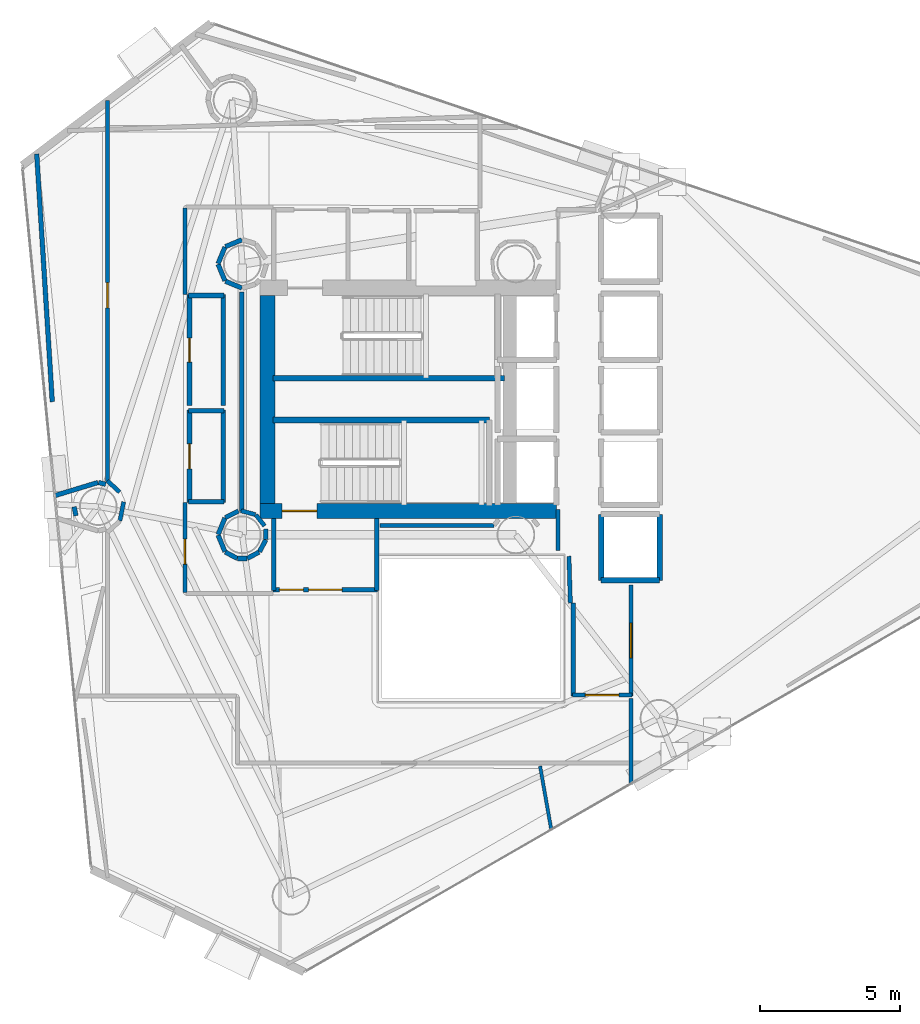
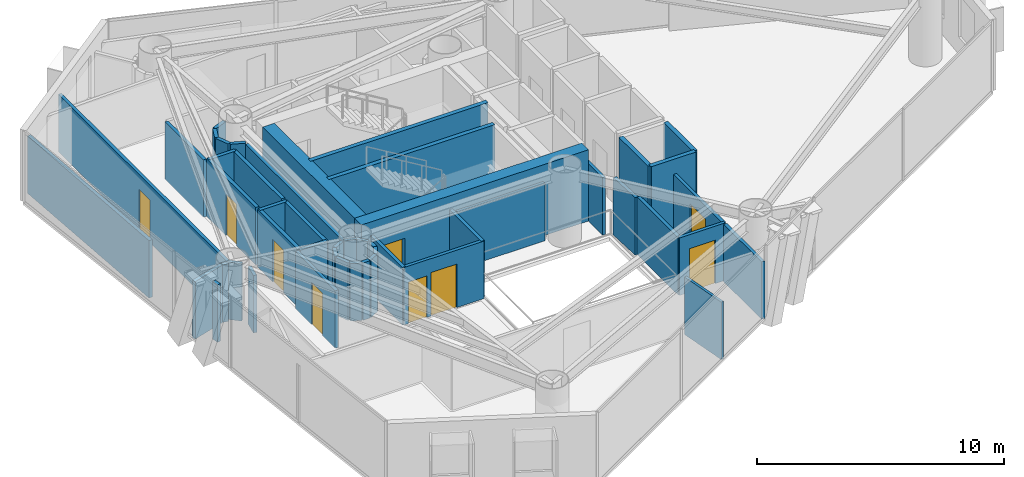
# One storey, part 18 of 22: 49 walls, 9 doors, 9 openings.
"""IFC4 building model written with IfcOpenShell, lengths in metres."""

from ifc_helpers import new_model, si_unit, direction, frame, frame_2d, origin, place, context, subcontext, project, spatial, rectangle, extrude, material, layer, layer_set, type_object, element, fill, save


model = new_model("IFC4")

# Units and contexts
model_context = context("Model", 3, precision=1e-05, world=origin(), true_north=direction((0.0, 1.0)))
body_context = subcontext(model_context, "Body", "Model", "MODEL_VIEW")
ifc_project = project(units=[si_unit("LENGTHUNIT", "METRE"), si_unit("AREAUNIT", "SQUARE_METRE"), si_unit("VOLUMEUNIT", "CUBIC_METRE"), si_unit("PLANEANGLEUNIT", "RADIAN"), si_unit("MASSUNIT", "GRAM", prefix="KILO")], contexts=[model_context])

# Site, building, storey
site_placement = place(None, origin())
site = spatial("IfcSite", under=ifc_project, at=site_placement, CompositionType="ELEMENT")
building_placement = place(site_placement, origin())
building = spatial("IfcBuilding", under=site, at=building_placement, Name="Qianvela Tower", CompositionType="ELEMENT")
storey_placement = place(building_placement, frame((0.0, 0.0, 169.800048828125)))
storey = spatial("IfcBuildingStorey", under=building, at=storey_placement, Name="L43", CompositionType="ELEMENT", Elevation=169.800048828125)

# Wall, opening, door
ifc_material_1 = material(Name="Concrete C60", Category="concrete")
ifc_layer_1 = layer(ifc_material_1, 0.550048828125)
ifc_layer_set_1 = layer_set([ifc_layer_1], Name="Concrete C60")
wall_type_1 = type_object("IfcWallType", Name="WT-CORE-550", PredefinedType="SHEAR", material=ifc_layer_set_1)
wall_1_placement = place(storey_placement, frame((29.22998046875, 24.705078125, 0.0), z_axis=(0.0, 0.0, 1.0), x_axis=(1.0, 0.0, 0.0)))
wall_1 = element("IfcWall", 1, at=wall_1_placement, inside=storey, type_object=wall_type_1, Name="L43 South Core Shear Wall", PredefinedType="SHEAR", context=body_context, shape_type="SweptSolid", body=[
    extrude(rectangle(XDim=10.6201171875, YDim=0.550048828125, at=frame_2d((5.31005859375, 0.0))), origin(), (0.0, 0.0, 1.0), 3.52001953125),
])
opening_1_placement = place(wall_1_placement, frame((0.794921875, 0.0, 0.0)))
opening_1 = element("IfcOpeningElement", 2, at=opening_1_placement, cuts=wall_1, Name="Opening D-ST1", PredefinedType="OPENING", context=body_context, shape_type="SweptSolid", body=[
    extrude(rectangle(XDim=1.25, YDim=2.14990234375, at=frame_2d((0.625, 1.074951171875))), frame((0.0, 0.284912109375, 0.0), z_axis=(0.0, -1.0, 0.0), x_axis=(1.0, 0.0, 0.0)), (0.0, 0.0, 1.0), 0.570068359375),
])
ifc_material_2 = material(Name="Galvanised Fire Steel Q355B", Category="steel")
door_type_1 = type_object("IfcDoorType", Name="DT-STAIR-FD90", OperationType="NOTDEFINED", PredefinedType="DOOR", material=ifc_material_2)
door_1_placement = place(opening_1_placement, origin())
door_1 = element("IfcDoor", 3, at=door_1_placement, inside=storey, type_object=door_type_1, Name="L43 Stair ST-2 Exit Door", OperationType="SINGLE_SWING_LEFT", OverallHeight=2.14990234375, OverallWidth=1.25, PredefinedType="DOOR", context=body_context, shape_type="SweptSolid", body=[
    extrude(rectangle(XDim=1.25, YDim=2.14990234375, at=frame_2d((0.625, 1.074951171875))), frame((0.0, 0.02490234375, 0.0), z_axis=(0.0, -1.0, 0.0), x_axis=(1.0, 0.0, 0.0)), (0.0, 0.0, 1.0), 0.050048828125),
])
fill(opening_1, door_1)

# Wall
wall_2_placement = place(storey_placement, frame((29.5048828125, 24.97998046875, 0.0), z_axis=(0.0, 0.0, 1.0), x_axis=(0.0, 1.0, 0.0)))
element("IfcWall", 4, at=wall_2_placement, inside=storey, type_object=wall_type_1, Name="L43 West Core Shear Wall", PredefinedType="SHEAR", context=body_context, shape_type="SweptSolid", body=[
    extrude(rectangle(XDim=7.43994140625, YDim=0.550048828125, at=frame_2d((3.719970703125, 0.0))), origin(), (0.0, 0.0, 1.0), 3.52001953125),
])

# Wall, openings, doors
ifc_material_3 = material(Name="Fire-Rated Acoustic Gypsum Board")
ifc_layer_2 = layer(ifc_material_3, 0.14990234375)
ifc_layer_set_2 = layer_set([ifc_layer_2], Name="Fire-Rated Acoustic Gypsum Board")
wall_type_2 = type_object("IfcWallType", Name="WT-CORR-150", PredefinedType="PARTITIONING", material=ifc_layer_set_2)
wall_3_placement = place(storey_placement, frame((33.449951171875, 21.881103515625, 0.0), z_axis=(0.0, 0.0, 1.0), x_axis=(-1.0, 0.0, 0.0)))
wall_3 = element("IfcWall", 5, at=wall_3_placement, inside=storey, type_object=wall_type_2, Name="L43 Partition 5", PredefinedType="PARTITIONING", context=body_context, shape_type="SweptSolid", body=[
    extrude(rectangle(XDim=3.75, YDim=0.14990234375, at=frame_2d((1.875, 0.0))), origin(), (0.0, 0.0, 1.0), 2.83984375),
])
opening_2_placement = place(wall_3_placement, frame((1.27490234375, 0.0, 0.0)))
opening_2 = element("IfcOpeningElement", 6, at=opening_2_placement, cuts=wall_3, Name="Opening D-LB1", PredefinedType="OPENING", context=body_context, shape_type="SweptSolid", body=[
    extrude(rectangle(XDim=1.199951171875, YDim=2.14990234375, at=frame_2d((0.60009765625, 1.074951171875))), frame((0.0, 0.0849609375, 0.0), z_axis=(0.0, -1.0, 0.0), x_axis=(1.0, 0.0, 0.0)), (0.0, 0.0, 1.0), 0.169921875),
])
opening_3_placement = place(wall_3_placement, frame((2.659912109375, 0.0, 0.0)))
opening_3 = element("IfcOpeningElement", 7, at=opening_3_placement, cuts=wall_3, Name="Opening D-LB2", PredefinedType="OPENING", context=body_context, shape_type="SweptSolid", body=[
    extrude(rectangle(XDim=0.860107421875, YDim=2.050048828125, at=frame_2d((0.43017578125, 1.02490234375))), frame((0.0, 0.0849609375, 0.0), z_axis=(0.0, -1.0, 0.0), x_axis=(1.0, 0.0, 0.0)), (0.0, 0.0, 1.0), 0.169921875),
])
ifc_material_4 = material(Name="Glazed Fire-Rated Steel Frame", Category="steel")
door_type_2 = type_object("IfcDoorType", Name="DT-LOBBY-FD90", OperationType="NOTDEFINED", PredefinedType="DOOR", material=ifc_material_4)
door_2_placement = place(opening_2_placement, origin())
door_2 = element("IfcDoor", 8, at=door_2_placement, inside=storey, type_object=door_type_2, Name="L43 Door L43 Firefighting Lobby South to L43 Floor Corridor", OperationType="SINGLE_SWING_RIGHT", OverallHeight=2.14990234375, OverallWidth=1.199951171875, PredefinedType="DOOR", context=body_context, shape_type="SweptSolid", body=[
    extrude(rectangle(XDim=1.199951171875, YDim=2.14990234375, at=frame_2d((0.60009765625, 1.074951171875))), frame((0.0, 0.02490234375, 0.0), z_axis=(0.0, -1.0, 0.0), x_axis=(1.0, 0.0, 0.0)), (0.0, 0.0, 1.0), 0.050048828125),
])
fill(opening_2, door_2)
ifc_material_5 = material(Name="Insulated Steel Fire Door Q355B", Category="steel")
door_type_3 = type_object("IfcDoorType", Name="DT-LOBBY-FD90-860", OperationType="NOTDEFINED", PredefinedType="DOOR", material=ifc_material_5)
door_3_placement = place(opening_3_placement, origin())
door_3 = element("IfcDoor", 9, at=door_3_placement, inside=storey, type_object=door_type_3, Name="L43 Door L43 Firefighting Lobby South to L43 Floor Corridor", OperationType="SINGLE_SWING_LEFT", OverallHeight=2.050048828125, OverallWidth=0.860107421875, PredefinedType="DOOR", context=body_context, shape_type="SweptSolid", body=[
    extrude(rectangle(XDim=0.860107421875, YDim=2.050048828125, at=frame_2d((0.43017578125, 1.02490234375))), frame((0.0, 0.02490234375, 0.0), z_axis=(0.0, -1.0, 0.0), x_axis=(1.0, 0.0, 0.0)), (0.0, 0.0, 1.0), 0.050048828125),
])
fill(opening_3, door_3)

# Walls
for number, where, z_axis, x_axis, name in (
    (10, (29.73095703125, 21.85009765625, 0.0), (0.0, 0.0, 1.0), (0.0, 1.0, 0.0), "L43 Partition 6"),
    (11, (33.4189453125, 24.44189453125, 0.0), (0.0, 0.0, 1.0), (0.0, -1.0, 0.0), "L43 Partition 8"),
):
    element("IfcWall", number, at=place(storey_placement, frame(where, z_axis=z_axis, x_axis=x_axis)), inside=storey, type_object=wall_type_2, Name=name, PredefinedType="PARTITIONING", context=body_context, shape_type="SweptSolid", body=[
        extrude(rectangle(XDim=2.591796875, YDim=0.14990234375, at=frame_2d((1.2958984375, 0.0))), origin(), (0.0, 0.0, 1.0), 2.83984375),
    ])
wall_4_placement = place(storey_placement, frame((40.35107421875, 21.40087890625, 0.0), z_axis=(0.0, 0.0, 1.0), x_axis=(-0.031058045979, 0.999517582527, 0.0)))
element("IfcWall", 12, at=wall_4_placement, inside=storey, type_object=wall_type_2, Name="L43 Partition 9", PredefinedType="PARTITIONING", context=body_context, shape_type="SweptSolid", body=[
    extrude(rectangle(XDim=1.68212890625, YDim=0.14990234375, at=frame_2d((0.841064453125, 0.0))), origin(), (0.0, 0.0, 1.0), 2.83984375),
])
wall_5_placement = place(storey_placement, frame((39.910888671875, 23.280029296875, 0.0), z_axis=(0.0, 0.0, 1.0), x_axis=(0.0, 1.0, 0.0)))
element("IfcWall", 13, at=wall_5_placement, inside=storey, type_object=wall_type_2, Name="L43 Partition 10", PredefinedType="PARTITIONING", context=body_context, shape_type="SweptSolid", body=[
    extrude(rectangle(XDim=1.47998046875, YDim=0.14990234375, at=frame_2d((0.739990234375, 0.0))), origin(), (0.0, 0.0, 1.0), 2.83984375),
])

# Wall, opening, door
wall_6_placement = place(storey_placement, frame((42.51904296875, 22.050048828125, 0.0), z_axis=(0.0, 0.0, 1.0), x_axis=(0.0, -1.0, 0.0)))
wall_6 = element("IfcWall", 14, at=wall_6_placement, inside=storey, type_object=wall_type_2, Name="L43 Partition 17", PredefinedType="PARTITIONING", context=body_context, shape_type="SweptSolid", body=[
    extrude(rectangle(XDim=3.969970703125, YDim=0.14990234375, at=frame_2d((1.98486328125, 0.0))), origin(), (0.0, 0.0, 1.0), 2.83984375),
])
opening_4_placement = place(wall_6_placement, frame((1.360107421875, 0.0, 0.0)))
opening_4 = element("IfcOpeningElement", 15, at=opening_4_placement, cuts=wall_6, Name="Opening D-LG1", PredefinedType="OPENING", context=body_context, shape_type="SweptSolid", body=[
    extrude(rectangle(XDim=1.25, YDim=2.199951171875, at=frame_2d((0.625, 1.10009765625))), frame((0.0, 0.0849609375, 0.0), z_axis=(0.0, -1.0, 0.0), x_axis=(1.0, 0.0, 0.0)), (0.0, 0.0, 1.0), 0.169921875),
])
ifc_material_6 = material(Name="Anodised Aluminium Acoustic Glass Door", Category="aluminium")
door_type_4 = type_object("IfcDoorType", Name="DT-LOUNGE-1250", OperationType="NOTDEFINED", PredefinedType="DOOR", material=ifc_material_6)
door_4_placement = place(opening_4_placement, origin())
door_4 = element("IfcDoor", 16, at=door_4_placement, inside=storey, type_object=door_type_4, Name="L43 Door Project Huddle Conference L43-02 to L43 Lift Lobby", OperationType="SINGLE_SWING_LEFT", OverallHeight=2.199951171875, OverallWidth=1.25, PredefinedType="DOOR", context=body_context, shape_type="SweptSolid", body=[
    extrude(rectangle(XDim=1.25, YDim=2.199951171875, at=frame_2d((0.625, 1.10009765625))), frame((0.0, 0.02490234375, 0.0), z_axis=(0.0, -1.0, 0.0), x_axis=(1.0, 0.0, 0.0)), (0.0, 0.0, 1.0), 0.050048828125),
])
fill(opening_4, door_4)

wall_7_placement = place(storey_placement, frame((42.550048828125, 18.111083984375, 0.0), z_axis=(0.0, 0.0, 1.0), x_axis=(-1.0, 0.0, 0.0)))
wall_7 = element("IfcWall", 17, at=wall_7_placement, inside=storey, type_object=wall_type_2, Name="L43 Partition 18", PredefinedType="PARTITIONING", context=body_context, shape_type="SweptSolid", body=[
    extrude(rectangle(XDim=2.130126953125, YDim=0.14990234375, at=frame_2d((1.06494140625, 0.0))), origin(), (0.0, 0.0, 1.0), 2.83984375),
])
opening_5_placement = place(wall_7_placement, frame((0.465087890625, 0.0, 0.0)))
opening_5 = element("IfcOpeningElement", 18, at=opening_5_placement, cuts=wall_7, Name="Opening D-LB1", PredefinedType="OPENING", context=body_context, shape_type="SweptSolid", body=[
    extrude(rectangle(XDim=1.199951171875, YDim=2.14990234375, at=frame_2d((0.60009765625, 1.074951171875))), frame((0.0, 0.0849609375, 0.0), z_axis=(0.0, -1.0, 0.0), x_axis=(1.0, 0.0, 0.0)), (0.0, 0.0, 1.0), 0.169921875),
])
door_5_placement = place(opening_5_placement, origin())
door_5 = element("IfcDoor", 19, at=door_5_placement, inside=storey, type_object=door_type_2, Name="L43 Door L43 Lift Lobby to L43 Floor Corridor", OperationType="SINGLE_SWING_LEFT", OverallHeight=2.14990234375, OverallWidth=1.199951171875, PredefinedType="DOOR", context=body_context, shape_type="SweptSolid", body=[
    extrude(rectangle(XDim=1.199951171875, YDim=2.14990234375, at=frame_2d((0.60009765625, 1.074951171875))), frame((0.0, 0.02490234375, 0.0), z_axis=(0.0, -1.0, 0.0), x_axis=(1.0, 0.0, 0.0)), (0.0, 0.0, 1.0), 0.050048828125),
])
fill(opening_5, door_5)

# Walls
wall_8_placement = place(storey_placement, frame((40.450927734375, 18.080078125, 0.0), z_axis=(0.0, 0.0, 1.0), x_axis=(0.0, 1.0, 0.0)))
element("IfcWall", 20, at=wall_8_placement, inside=storey, type_object=wall_type_2, Name="L43 Partition 19 seg 1", PredefinedType="PARTITIONING", context=body_context, shape_type="SweptSolid", body=[
    extrude(rectangle(XDim=3.31982421875, YDim=0.14990234375, at=frame_2d((1.659912109375, 0.0))), origin(), (0.0, 0.0, 1.0), 2.83984375),
])
wall_9_placement = place(storey_placement, frame((29.401611328125, 24.169189453125, 0.0), z_axis=(0.0, 0.0, 1.0), x_axis=(-0.622091855036, 0.782944266151, 0.0)))
element("IfcWall", 21, at=wall_9_placement, inside=storey, type_object=wall_type_2, Name="L43 Partition 40", PredefinedType="PARTITIONING", context=body_context, shape_type="SweptSolid", body=[
    extrude(rectangle(XDim=0.50390625, YDim=0.14990234375, at=frame_2d((0.251953125, 0.0))), origin(), (0.0, 0.0, 1.0), 2.83984375),
])
wall_10_placement = place(storey_placement, frame((29.07177734375, 24.57421875, 0.0), z_axis=(0.0, 0.0, 1.0), x_axis=(-0.966842101769, 0.255374920942, 0.0)))
element("IfcWall", 22, at=wall_10_placement, inside=storey, type_object=wall_type_2, Name="L43 Partition 41", PredefinedType="PARTITIONING", context=body_context, shape_type="SweptSolid", body=[
    extrude(rectangle(XDim=0.531494140625, YDim=0.14990234375, at=frame_2d((0.265625, 0.0))), origin(), (0.0, 0.0, 1.0), 2.83984375),
])
wall_11_placement = place(storey_placement, frame((28.5810546875, 24.68017578125, 0.0), z_axis=(0.0, 0.0, 1.0), x_axis=(0.0, 1.0, 0.0)))
element("IfcWall", 23, at=wall_11_placement, inside=storey, type_object=wall_type_2, Name="L43 Partition 42", PredefinedType="PARTITIONING", context=body_context, shape_type="SweptSolid", body=[
    extrude(rectangle(XDim=7.869873046875, YDim=0.14990234375, at=frame_2d((3.93505859375, 0.0))), origin(), (0.0, 0.0, 1.0), 2.83984375),
])
wall_12_placement = place(storey_placement, frame((37.62255859375, 24.180908203125, 0.0), z_axis=(0.0, 0.0, 1.0), x_axis=(-1.0, 0.0, 0.0)))
element("IfcWall", 24, at=wall_12_placement, inside=storey, type_object=wall_type_2, Name="L43 Partition 51", PredefinedType="PARTITIONING", context=body_context, shape_type="SweptSolid", body=[
    extrude(rectangle(XDim=4.092529296875, YDim=0.14990234375, at=frame_2d((2.04638671875, 0.0))), origin(), (0.0, 0.0, 1.0), 2.83984375),
])
wall_13_placement = place(storey_placement, frame((24.211181640625, 25.37890625, 0.0), z_axis=(0.0, 0.0, 1.0), x_axis=(-0.735475561179, 0.677551251868, 0.0)))
element("IfcWall", 25, at=wall_13_placement, inside=storey, type_object=wall_type_2, Name="L43 Partition 52", PredefinedType="PARTITIONING", context=body_context, shape_type="SweptSolid", body=[
    extrude(rectangle(XDim=0.598388671875, YDim=0.14990234375, at=frame_2d((0.29931640625, 0.0))), origin(), (0.0, 0.0, 1.0), 2.83984375),
])

# Wall, opening, door
wall_14_placement = place(storey_placement, frame((23.781005859375, 25.76171875, 0.0), z_axis=(0.0, 0.0, 1.0), x_axis=(0.0, 1.0, 0.0)))
wall_14 = element("IfcWall", 26, at=wall_14_placement, inside=storey, type_object=wall_type_2, Name="L43 Partition 53", PredefinedType="PARTITIONING", context=body_context, shape_type="SweptSolid", body=[
    extrude(rectangle(XDim=13.6416015625, YDim=0.14990234375, at=frame_2d((6.82080078125, 0.0))), origin(), (0.0, 0.0, 1.0), 2.83984375),
])
opening_6_placement = place(wall_14_placement, frame((6.218994140625, 0.0, 0.0)))
opening_6 = element("IfcOpeningElement", 27, at=opening_6_placement, cuts=wall_14, Name="Opening D-KT1", PredefinedType="OPENING", context=body_context, shape_type="SweptSolid", body=[
    extrude(rectangle(XDim=0.89990234375, YDim=2.10009765625, at=frame_2d((0.449951171875, 1.050048828125))), frame((0.0, 0.0849609375, 0.0), z_axis=(0.0, -1.0, 0.0), x_axis=(1.0, 0.0, 0.0)), (0.0, 0.0, 1.0), 0.169921875),
])
ifc_material_7 = material(Name="Glazed Timber Kitchen Door", Category="wood")
door_type_5 = type_object("IfcDoorType", Name="DT-KITCH-900", OperationType="NOTDEFINED", PredefinedType="DOOR", material=ifc_material_7)
door_6_placement = place(opening_6_placement, origin())
door_6 = element("IfcDoor", 28, at=door_6_placement, inside=storey, type_object=door_type_5, Name="L43 Door Floor Dining Kitchen L43-05 to L43 Floor Corridor", OperationType="SINGLE_SWING_RIGHT", OverallHeight=2.10009765625, OverallWidth=0.89990234375, PredefinedType="DOOR", context=body_context, shape_type="SweptSolid", body=[
    extrude(rectangle(XDim=0.89990234375, YDim=2.10009765625, at=frame_2d((0.449951171875, 1.050048828125))), frame((0.0, 0.02490234375, 0.0), z_axis=(0.0, -1.0, 0.0), x_axis=(1.0, 0.0, 0.0)), (0.0, 0.0, 1.0), 0.050048828125),
])
fill(opening_6, door_6)

# Wall
wall_15_placement = place(storey_placement, frame((26.549072265625, 35.56005859375, 0.0), z_axis=(0.0, 0.0, 1.0), x_axis=(0.0, -1.0, 0.0)))
element("IfcWall", 29, at=wall_15_placement, inside=storey, type_object=wall_type_2, Name="L43 Partition 57 seg 1", PredefinedType="PARTITIONING", context=body_context, shape_type="SweptSolid", body=[
    extrude(rectangle(XDim=3.110107421875, YDim=0.14990234375, at=frame_2d((1.55517578125, 0.0))), origin(), (0.0, 0.0, 1.0), 2.83984375),
])

# Wall, opening, door
wall_16_placement = place(storey_placement, frame((26.549072265625, 25.0, 0.0), z_axis=(0.0, 0.0, 1.0), x_axis=(0.0, -1.0, 0.0)))
wall_16 = element("IfcWall", 30, at=wall_16_placement, inside=storey, type_object=wall_type_2, Name="L43 Partition 57 seg 3", PredefinedType="PARTITIONING", context=body_context, shape_type="SweptSolid", body=[
    extrude(rectangle(XDim=3.219970703125, YDim=0.14990234375, at=frame_2d((1.60986328125, 0.0))), origin(), (0.0, 0.0, 1.0), 2.83984375),
])
opening_7_placement = place(wall_16_placement, frame((1.300048828125, 0.0, 0.0)))
opening_7 = element("IfcOpeningElement", 31, at=opening_7_placement, cuts=wall_16, Name="Opening D-KT1", PredefinedType="OPENING", context=body_context, shape_type="SweptSolid", body=[
    extrude(rectangle(XDim=0.89990234375, YDim=2.10009765625, at=frame_2d((0.449951171875, 1.050048828125))), frame((0.0, 0.0849609375, 0.0), z_axis=(0.0, -1.0, 0.0), x_axis=(1.0, 0.0, 0.0)), (0.0, 0.0, 1.0), 0.169921875),
])
door_7_placement = place(opening_7_placement, origin())
door_7 = element("IfcDoor", 32, at=door_7_placement, inside=storey, type_object=door_type_5, Name="L43 Door Social Galley Kitchen L43-06 to L43 Floor Corridor", OperationType="SINGLE_SWING_LEFT", OverallHeight=2.10009765625, OverallWidth=0.89990234375, PredefinedType="DOOR", context=body_context, shape_type="SweptSolid", body=[
    extrude(rectangle(XDim=0.89990234375, YDim=2.10009765625, at=frame_2d((0.449951171875, 1.050048828125))), frame((0.0, 0.02490234375, 0.0), z_axis=(0.0, -1.0, 0.0), x_axis=(1.0, 0.0, 0.0)), (0.0, 0.0, 1.0), 0.050048828125),
])
fill(opening_7, door_7)

# Walls
wall_17_placement = place(storey_placement, frame((42.51904296875, 17.97998046875, 0.0), z_axis=(0.0, 0.0, 1.0), x_axis=(0.0, -1.0, 0.0)))
element("IfcWall", 33, at=wall_17_placement, inside=storey, type_object=wall_type_2, Name="L43 Partition 60 seg 1", PredefinedType="PARTITIONING", context=body_context, shape_type="SweptSolid", body=[
    extrude(rectangle(XDim=3.06689453125, YDim=0.14990234375, at=frame_2d((1.533447265625, 0.0))), origin(), (0.0, 0.0, 1.0), 2.83984375),
])
wall_18_placement = place(storey_placement, frame((24.220703125, 24.355712890625, 0.0), z_axis=(0.0, 0.0, 1.0), x_axis=(0.19495084259, 0.980813014276, 0.0)))
element("IfcWall", 34, at=wall_18_placement, inside=storey, type_object=wall_type_2, Name="L43 Partition 66", PredefinedType="PARTITIONING", context=body_context, shape_type="SweptSolid", body=[
    extrude(rectangle(XDim=0.68505859375, YDim=0.14990234375, at=frame_2d((0.342529296875, 0.0))), origin(), (0.0, 0.0, 1.0), 2.83984375),
])
ifc_material_8 = material(Name="Insulated Gypsum Stud Partition")
ifc_layer_3 = layer(ifc_material_8, 0.1201171875)
ifc_layer_set_3 = layer_set([ifc_layer_3], Name="Insulated Gypsum Stud Partition")
wall_type_3 = type_object("IfcWallType", Name="WT-PART-120", PredefinedType="PARTITIONING", material=ifc_layer_set_3)
wall_19_placement = place(storey_placement, frame((39.265869140625, 15.564697265625, 0.0), z_axis=(0.0, 0.0, 1.0), x_axis=(0.173617967091, -0.984813079474, 0.0)))
element("IfcWall", 35, at=wall_19_placement, inside=storey, type_object=wall_type_3, Name="L43 Partition 71", PredefinedType="PARTITIONING", context=body_context, shape_type="SweptSolid", body=[
    extrude(rectangle(XDim=2.330078125, YDim=0.1201171875, at=frame_2d((1.1650390625, 0.0))), origin(), (0.0, 0.0, 1.0), 2.83984375),
])

# Wall, opening, door
ifc_material_9 = material(Name="Sanitary Service Chase Partition")
ifc_layer_4 = layer(ifc_material_9, 0.1650390625)
ifc_layer_set_4 = layer_set([ifc_layer_4], Name="Sanitary Service Chase Partition")
wall_type_4 = type_object("IfcWallType", Name="WT-PLUMB-165", PredefinedType="PLUMBINGWALL", material=ifc_layer_set_4)
wall_20_placement = place(storey_placement, frame((26.7109375, 25.0, 0.0), z_axis=(0.0, 0.0, 1.0), x_axis=(0.0, 1.0, 0.0)))
wall_20 = element("IfcWall", 36, at=wall_20_placement, inside=storey, type_object=wall_type_4, Name="L43 Partition 28", PredefinedType="PLUMBINGWALL", context=body_context, shape_type="SweptSolid", body=[
    extrude(rectangle(XDim=3.320068359375, YDim=0.1650390625, at=frame_2d((1.66015625, 0.0))), origin(), (0.0, 0.0, 1.0), 2.83984375),
])
opening_8_placement = place(wall_20_placement, frame((1.2099609375, 0.0, 0.0)))
opening_8 = element("IfcOpeningElement", 37, at=opening_8_placement, cuts=wall_20, Name="Opening D-KT1", PredefinedType="OPENING", context=body_context, shape_type="SweptSolid", body=[
    extrude(rectangle(XDim=0.89990234375, YDim=2.10009765625, at=frame_2d((0.449951171875, 1.050048828125))), frame((0.0, 0.092529296875, 0.0), z_axis=(0.0, -1.0, 0.0), x_axis=(1.0, 0.0, 0.0)), (0.0, 0.0, 1.0), 0.18505859375),
])
door_8_placement = place(opening_8_placement, origin())
door_8 = element("IfcDoor", 38, at=door_8_placement, inside=storey, type_object=door_type_5, Name="L43 Door L43 Core Tea Pantry West to L43 Floor Corridor", OperationType="SINGLE_SWING_RIGHT", OverallHeight=2.10009765625, OverallWidth=0.89990234375, PredefinedType="DOOR", context=body_context, shape_type="SweptSolid", body=[
    extrude(rectangle(XDim=0.89990234375, YDim=2.10009765625, at=frame_2d((0.449951171875, 1.050048828125))), frame((0.0, 0.02490234375, 0.0), z_axis=(0.0, -1.0, 0.0), x_axis=(1.0, 0.0, 0.0)), (0.0, 0.0, 1.0), 0.050048828125),
])
fill(opening_8, door_8)

# Walls
wall_21_placement = place(storey_placement, frame((26.679931640625, 28.2890625, 0.0), z_axis=(0.0, 0.0, 1.0), x_axis=(1.0, 0.0, 0.0)))
element("IfcWall", 39, at=wall_21_placement, inside=storey, type_object=wall_type_4, Name="L43 Partition 29", PredefinedType="PLUMBINGWALL", context=body_context, shape_type="SweptSolid", body=[
    extrude(rectangle(XDim=1.27001953125, YDim=0.1650390625, at=frame_2d((0.635009765625, 0.0))), origin(), (0.0, 0.0, 1.0), 2.83984375),
])
wall_22_placement = place(storey_placement, frame((27.9189453125, 28.320068359375, 0.0), z_axis=(0.0, 0.0, 1.0), x_axis=(0.0, -1.0, 0.0)))
element("IfcWall", 40, at=wall_22_placement, inside=storey, type_object=wall_type_4, Name="L43 Partition 30", PredefinedType="PLUMBINGWALL", context=body_context, shape_type="SweptSolid", body=[
    extrude(rectangle(XDim=3.320068359375, YDim=0.1650390625, at=frame_2d((1.66015625, 0.0))), origin(), (0.0, 0.0, 1.0), 2.83984375),
])
wall_23_placement = place(storey_placement, frame((27.949951171875, 25.031005859375, 0.0), z_axis=(0.0, 0.0, 1.0), x_axis=(-1.0, 0.0, 0.0)))
element("IfcWall", 41, at=wall_23_placement, inside=storey, type_object=wall_type_4, Name="L43 Partition 31", PredefinedType="PLUMBINGWALL", context=body_context, shape_type="SweptSolid", body=[
    extrude(rectangle(XDim=1.27001953125, YDim=0.1650390625, at=frame_2d((0.635009765625, 0.0))), origin(), (0.0, 0.0, 1.0), 2.83984375),
])

# Wall, opening, door
wall_24_placement = place(storey_placement, frame((26.7109375, 28.47998046875, 0.0), z_axis=(0.0, 0.0, 1.0), x_axis=(0.0, 1.0, 0.0)))
wall_24 = element("IfcWall", 42, at=wall_24_placement, inside=storey, type_object=wall_type_4, Name="L43 Partition 32", PredefinedType="PLUMBINGWALL", context=body_context, shape_type="SweptSolid", body=[
    extrude(rectangle(XDim=3.969970703125, YDim=0.1650390625, at=frame_2d((1.98486328125, 0.0))), origin(), (0.0, 0.0, 1.0), 2.83984375),
])
opening_9_placement = place(wall_24_placement, frame((1.554931640625, 0.0, 0.0)))
opening_9 = element("IfcOpeningElement", 43, at=opening_9_placement, cuts=wall_24, Name="Opening D-WC1", PredefinedType="OPENING", context=body_context, shape_type="SweptSolid", body=[
    extrude(rectangle(XDim=0.860107421875, YDim=2.050048828125, at=frame_2d((0.43017578125, 1.02490234375))), frame((0.0, 0.092529296875, 0.0), z_axis=(0.0, -1.0, 0.0), x_axis=(1.0, 0.0, 0.0)), (0.0, 0.0, 1.0), 0.18505859375),
])
ifc_material_10 = material(Name="Moisture-Sealed Acoustic Timber Door", Category="wood")
door_type_6 = type_object("IfcDoorType", Name="DT-WC-860", OperationType="NOTDEFINED", PredefinedType="DOOR", material=ifc_material_10)
door_9_placement = place(opening_9_placement, origin())
door_9 = element("IfcDoor", 44, at=door_9_placement, inside=storey, type_object=door_type_6, Name="L43 Door L43 Accessible WC to L43 Floor Corridor", OperationType="SINGLE_SWING_LEFT", OverallHeight=2.050048828125, OverallWidth=0.860107421875, PredefinedType="DOOR", context=body_context, shape_type="SweptSolid", body=[
    extrude(rectangle(XDim=0.860107421875, YDim=2.050048828125, at=frame_2d((0.43017578125, 1.02490234375))), frame((0.0, 0.02490234375, 0.0), z_axis=(0.0, -1.0, 0.0), x_axis=(1.0, 0.0, 0.0)), (0.0, 0.0, 1.0), 0.050048828125),
])
fill(opening_9, door_9)

# Walls
wall_25_placement = place(storey_placement, frame((26.679931640625, 32.4189453125, 0.0), z_axis=(0.0, 0.0, 1.0), x_axis=(1.0, 0.0, 0.0)))
element("IfcWall", 45, at=wall_25_placement, inside=storey, type_object=wall_type_4, Name="L43 Partition 33", PredefinedType="PLUMBINGWALL", context=body_context, shape_type="SweptSolid", body=[
    extrude(rectangle(XDim=1.27001953125, YDim=0.1650390625, at=frame_2d((0.635009765625, 0.0))), origin(), (0.0, 0.0, 1.0), 2.83984375),
])
wall_26_placement = place(storey_placement, frame((27.9189453125, 32.449951171875, 0.0), z_axis=(0.0, 0.0, 1.0), x_axis=(0.0, -1.0, 0.0)))
element("IfcWall", 46, at=wall_26_placement, inside=storey, type_object=wall_type_4, Name="L43 Partition 34", PredefinedType="PLUMBINGWALL", context=body_context, shape_type="SweptSolid", body=[
    extrude(rectangle(XDim=3.969970703125, YDim=0.1650390625, at=frame_2d((1.98486328125, 0.0))), origin(), (0.0, 0.0, 1.0), 2.83984375),
])
wall_27_placement = place(storey_placement, frame((23.710205078125, 25.66064453125, 0.0), z_axis=(0.0, 0.0, 1.0), x_axis=(-0.970790392633, 0.239929184491, 0.0)))
element("IfcWall", 47, at=wall_27_placement, inside=storey, type_object=wall_type_4, Name="L43 Partition 124", PredefinedType="PLUMBINGWALL", context=body_context, shape_type="SweptSolid", body=[
    extrude(rectangle(XDim=0.2646484375, YDim=0.1650390625, at=frame_2d((0.13232421875, 0.0))), origin(), (0.0, 0.0, 1.0), 2.83984375),
])
wall_28_placement = place(storey_placement, frame((23.43701171875, 25.7236328125, 0.0), z_axis=(0.0, 0.0, 1.0), x_axis=(-0.956895353107, -0.290432923757, 0.0)))
element("IfcWall", 48, at=wall_28_placement, inside=storey, type_object=wall_type_4, Name="L43 Partition 125", PredefinedType="PLUMBINGWALL", context=body_context, shape_type="SweptSolid", body=[
    extrude(rectangle(XDim=1.64013671875, YDim=0.1650390625, at=frame_2d((0.820068359375, 0.0))), origin(), (0.0, 0.0, 1.0), 2.83984375),
])
wall_29_placement = place(storey_placement, frame((22.58056640625, 24.85302734375, 0.0), z_axis=(0.0, 0.0, 1.0), x_axis=(0.195539797708, -0.980695767051, 0.0)))
element("IfcWall", 49, at=wall_29_placement, inside=storey, type_object=wall_type_4, Name="L43 Partition 128", PredefinedType="PLUMBINGWALL", context=body_context, shape_type="SweptSolid", body=[
    extrude(rectangle(XDim=0.325927734375, YDim=0.1650390625, at=frame_2d((0.1630859375, 0.0))), origin(), (0.0, 0.0, 1.0), 2.83984375),
])
wall_30_placement = place(storey_placement, frame((21.79833984375, 28.614990234375, 0.0), z_axis=(0.0, 0.0, 1.0), x_axis=(-0.062725209959, 0.998030835213, 0.0)))
element("IfcWall", 50, at=wall_30_placement, inside=storey, type_object=wall_type_4, Name="L43 Partition 133 seg 2", PredefinedType="PLUMBINGWALL", context=body_context, shape_type="SweptSolid", body=[
    extrude(rectangle(XDim=8.893798828125, YDim=0.1650390625, at=frame_2d((4.44677734375, 0.0))), origin(), (0.0, 0.0, 1.0), 2.83984375),
])
for number, where, z_axis, x_axis, name in (
    (51, (28.588134765625, 34.41357421875, 0.0), (0.0, 0.0, 1.0), (-0.923956302996, -0.382498039412, 0.0), "L43 Partition 143"),
    (52, (27.98095703125, 34.15234375, 0.0), (0.0, 0.0, 1.0), (-0.382824178437, -0.923821221018, 0.0), "L43 Partition 144"),
    (53, (27.736328125, 33.5380859375, 0.0), (0.0, 0.0, 1.0), (0.382824178437, -0.923821221018, 0.0), "L43 Partition 145"),
    (54, (27.997802734375, 32.930908203125, 0.0), (0.0, 0.0, 1.0), (0.923821221018, -0.382824178437, 0.0), "L43 Partition 146"),
):
    element("IfcWall", number, at=place(storey_placement, frame(where, z_axis=z_axis, x_axis=x_axis)), inside=storey, type_object=wall_type_4, Name=name, PredefinedType="PLUMBINGWALL", context=body_context, shape_type="SweptSolid", body=[
        extrude(rectangle(XDim=0.638916015625, YDim=0.1650390625, at=frame_2d((0.3193359375, 0.0))), origin(), (0.0, 0.0, 1.0), 2.83984375),
    ])
wall_31_placement = place(storey_placement, frame((28.465576171875, 24.700927734375, 0.0), z_axis=(0.0, 0.0, 1.0), x_axis=(-0.896097594631, -0.4438570726, 0.0)))
element("IfcWall", 55, at=wall_31_placement, inside=storey, type_object=wall_type_4, Name="L43 Partition 152", PredefinedType="PLUMBINGWALL", context=body_context, shape_type="SweptSolid", body=[
    extrude(rectangle(XDim=0.524169921875, YDim=0.1650390625, at=frame_2d((0.26220703125, 0.0))), origin(), (0.0, 0.0, 1.0), 2.83984375),
])
wall_32_placement = place(storey_placement, frame((27.98095703125, 24.452392578125, 0.0), z_axis=(0.0, 0.0, 1.0), x_axis=(-0.38268910224, -0.923877183952, 0.0)))
element("IfcWall", 56, at=wall_32_placement, inside=storey, type_object=wall_type_4, Name="L43 Partition 153", PredefinedType="PLUMBINGWALL", context=body_context, shape_type="SweptSolid", body=[
    extrude(rectangle(XDim=0.63916015625, YDim=0.1650390625, at=frame_2d((0.319580078125, 0.0))), origin(), (0.0, 0.0, 1.0), 2.83984375),
])
wall_33_placement = place(storey_placement, frame((27.736328125, 23.838134765625, 0.0), z_axis=(0.0, 0.0, 1.0), x_axis=(0.382824178437, -0.923821221018, 0.0)))
element("IfcWall", 57, at=wall_33_placement, inside=storey, type_object=wall_type_4, Name="L43 Partition 154", PredefinedType="PLUMBINGWALL", context=body_context, shape_type="SweptSolid", body=[
    extrude(rectangle(XDim=0.638916015625, YDim=0.1650390625, at=frame_2d((0.3193359375, 0.0))), origin(), (0.0, 0.0, 1.0), 2.83984375),
])
wall_34_placement = place(storey_placement, frame((27.9951171875, 23.232177734375, 0.0), z_axis=(0.0, 0.0, 1.0), x_axis=(0.88190639713, -0.471424550379, 0.0)))
element("IfcWall", 58, at=wall_34_placement, inside=storey, type_object=wall_type_4, Name="L43 Partition 155", PredefinedType="PLUMBINGWALL", context=body_context, shape_type="SweptSolid", body=[
    extrude(rectangle(XDim=0.484619140625, YDim=0.1650390625, at=frame_2d((0.2421875, 0.0))), origin(), (0.0, 0.0, 1.0), 2.83984375),
])
wall_35_placement = place(storey_placement, frame((28.43701171875, 23.0, 0.0), z_axis=(0.0, 0.0, 1.0), x_axis=(1.0, 0.0, 0.0)))
element("IfcWall", 59, at=wall_35_placement, inside=storey, type_object=wall_type_4, Name="L43 Partition 156", PredefinedType="PLUMBINGWALL", context=body_context, shape_type="SweptSolid", body=[
    extrude(rectangle(XDim=0.325927734375, YDim=0.1650390625, at=frame_2d((0.1630859375, 0.0))), origin(), (0.0, 0.0, 1.0), 2.83984375),
])
for number, where, z_axis, x_axis, name in (
    (60, (28.777587890625, 23.003662109375, 0.0), (0.0, 0.0, 1.0), (0.88190639713, 0.471424550379, 0.0), "L43 Partition 157"),
    (61, (29.2177734375, 23.2451171875, 0.0), (0.0, 0.0, 1.0), (0.471424550379, 0.88190639713, 0.0), "L43 Partition 158"),
):
    element("IfcWall", number, at=place(storey_placement, frame(where, z_axis=z_axis, x_axis=x_axis)), inside=storey, type_object=wall_type_4, Name=name, PredefinedType="PLUMBINGWALL", context=body_context, shape_type="SweptSolid", body=[
        extrude(rectangle(XDim=0.484619140625, YDim=0.1650390625, at=frame_2d((0.2421875, 0.0))), origin(), (0.0, 0.0, 1.0), 2.83984375),
    ])
wall_36_placement = place(storey_placement, frame((29.449951171875, 23.68798828125, 0.0), z_axis=(0.0, 0.0, 1.0), x_axis=(-0.030919976938, 0.999521863206, 0.0)))
element("IfcWall", 62, at=wall_36_placement, inside=storey, type_object=wall_type_4, Name="L43 Partition 159", PredefinedType="PLUMBINGWALL", context=body_context, shape_type="SweptSolid", body=[
    extrude(rectangle(XDim=0.36328125, YDim=0.1650390625, at=frame_2d((0.181640625, 0.0))), origin(), (0.0, 0.0, 1.0), 2.83984375),
])
ifc_material_11 = material(Name="Concrete C50", Category="concrete")
ifc_layer_5 = layer(ifc_material_11, 0.199951171875)
ifc_layer_set_5 = layer_set([ifc_layer_5], Name="Concrete C50")
wall_type_5 = type_object("IfcWallType", Name="WT-SHAFT-200", PredefinedType="SOLIDWALL", material=ifc_layer_set_5)
wall_37_placement = place(storey_placement, frame((29.699951171875, 29.449951171875, 0.0), z_axis=(0.0, 0.0, 1.0), x_axis=(1.0, 0.0, 0.0)))
element("IfcWall", 63, at=wall_37_placement, inside=storey, type_object=wall_type_5, Name="L43 Stair ST-1 South Wall", PredefinedType="SOLIDWALL", context=body_context, shape_type="SweptSolid", body=[
    extrude(rectangle(XDim=8.300048828125, YDim=0.199951171875, at=frame_2d((4.14990234375, 0.0))), origin(), (0.0, 0.0, 1.0), 3.52001953125),
])
wall_38_placement = place(storey_placement, frame((29.699951171875, 27.9599609375, 0.0), z_axis=(0.0, 0.0, 1.0), x_axis=(1.0, 0.0, 0.0)))
element("IfcWall", 64, at=wall_38_placement, inside=storey, type_object=wall_type_5, Name="L43 Stair ST-2 North Wall", PredefinedType="SOLIDWALL", context=body_context, shape_type="SweptSolid", body=[
    extrude(rectangle(XDim=7.75, YDim=0.199951171875, at=frame_2d((3.875, 0.0))), origin(), (0.0, 0.0, 1.0), 3.52001953125),
])
for number, where, z_axis, x_axis, name in (
    (65, (43.550048828125, 22.219970703125, 0.0), (0.0, 0.0, 1.0), (0.0, 1.0, 0.0), "L43 Lift PL-H2 E Shaft Wall"),
    (66, (41.449951171875, 22.219970703125, 0.0), (0.0, 0.0, 1.0), (0.0, 1.0, 0.0), "L43 Lift PL-H2 W Shaft Wall"),
):
    element("IfcWall", number, at=place(storey_placement, frame(where, z_axis=z_axis, x_axis=x_axis)), inside=storey, type_object=wall_type_5, Name=name, PredefinedType="SOLIDWALL", context=body_context, shape_type="SweptSolid", body=[
        extrude(rectangle(XDim=2.360107421875, YDim=0.199951171875, at=frame_2d((1.18017578125, 0.0))), origin(), (0.0, 0.0, 1.0), 3.52001953125),
    ])
wall_39_placement = place(storey_placement, frame((41.449951171875, 22.219970703125, 0.0), z_axis=(0.0, 0.0, 1.0), x_axis=(1.0, 0.0, 0.0)))
element("IfcWall", 67, at=wall_39_placement, inside=storey, type_object=wall_type_5, Name="L43 Lift PL-H2 S Shaft Wall", PredefinedType="SOLIDWALL", context=body_context, shape_type="SweptSolid", body=[
    extrude(rectangle(XDim=2.10009765625, YDim=0.199951171875, at=frame_2d((1.050048828125, 0.0))), origin(), (0.0, 0.0, 1.0), 3.52001953125),
])

save(model, "model.ifc")
